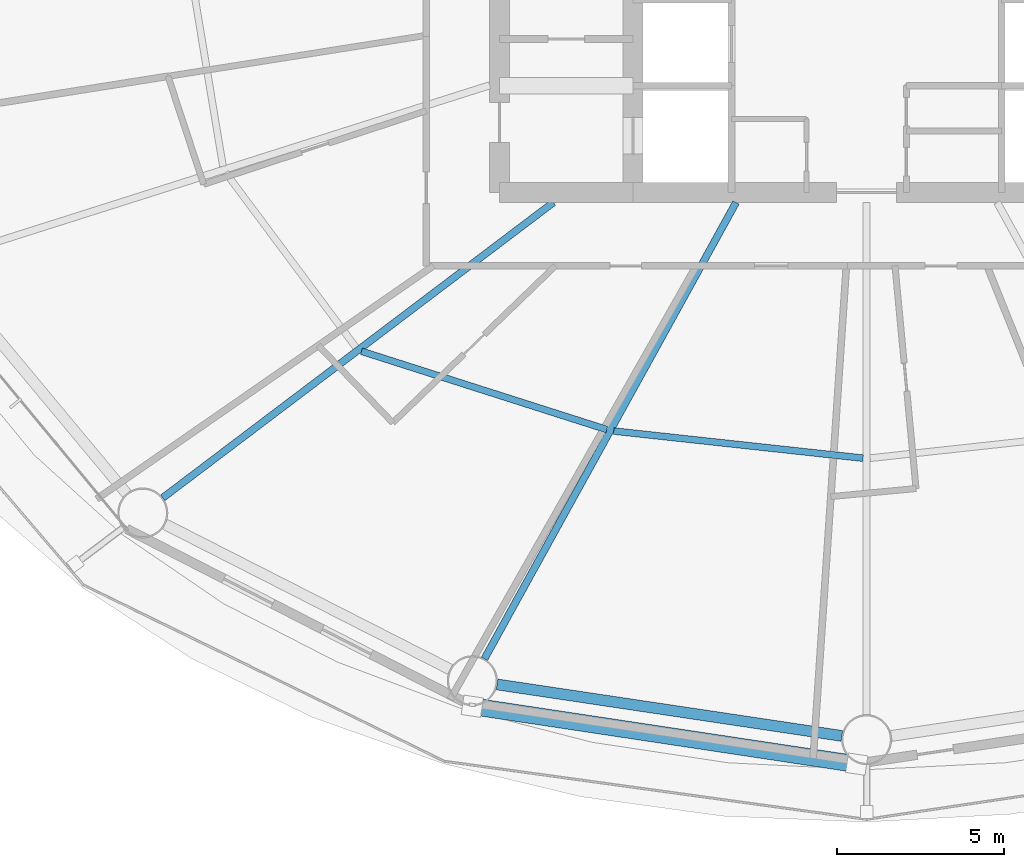
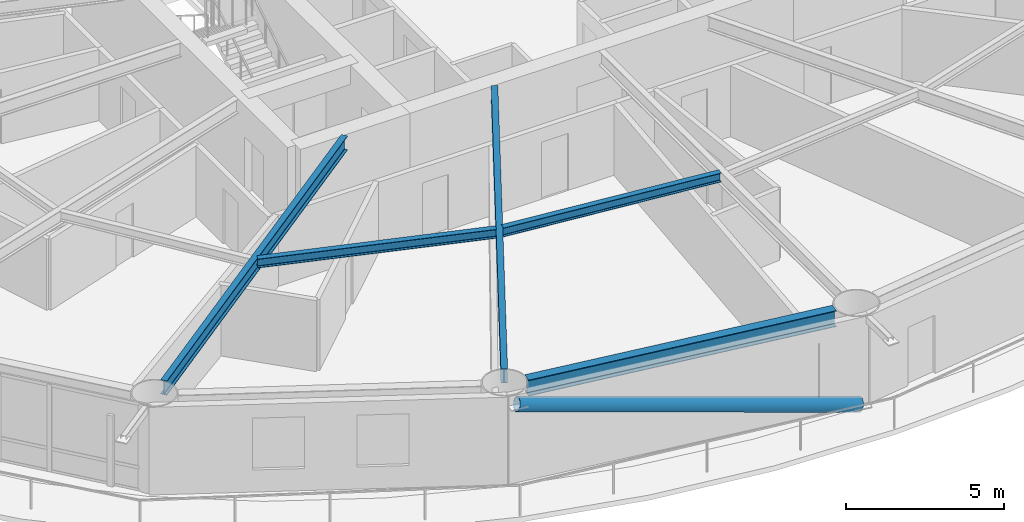
# One storey, part 3 of 26: 5 beams, 1 member.
"""IFC4 building model written with IfcOpenShell, lengths in metres."""

from ifc_helpers import new_model, si_unit, direction, frame, origin, origin_2d, place, context, subcontext, project, spatial, hollow_circle, i_section, extrude, material, material_profile, profile_set, type_object, element, save


model = new_model("IFC4")

# Units and contexts
model_context = context("Model", 3, precision=1e-05, world=origin(), true_north=direction((0.0, 1.0)))
body_context = subcontext(model_context, "Body", "Model", "MODEL_VIEW")
ifc_project = project(units=[si_unit("LENGTHUNIT", "METRE"), si_unit("AREAUNIT", "SQUARE_METRE"), si_unit("VOLUMEUNIT", "CUBIC_METRE"), si_unit("PLANEANGLEUNIT", "RADIAN"), si_unit("MASSUNIT", "GRAM", prefix="KILO")], contexts=[model_context])

# Site, building, storey
site_placement = place(None, origin())
site = spatial("IfcSite", under=ifc_project, at=site_placement, CompositionType="ELEMENT")
building_placement = place(site_placement, origin())
building = spatial("IfcBuilding", under=site, at=building_placement, Name="Sarneth Arch Tower", CompositionType="ELEMENT")
storey_placement = place(building_placement, frame((0.0, 0.0, 64.199951171875)))
storey = spatial("IfcBuildingStorey", under=building, at=storey_placement, Name="L15", CompositionType="ELEMENT", Elevation=64.199951171875)

# Beams
ifc_material_1 = material(Name="Steel S355", Category="steel")
ifc_material_profile_1 = material_profile(ifc_material_1, i_section(OverallWidth=0.202880859375, OverallDepth=0.346923828125, WebThickness=0.0078125, FlangeThickness=0.013427734375, FilletRadius=0.014892578125, at=origin_2d()), Name="W360x64")
ifc_profile_set_1 = profile_set([ifc_material_profile_1], Name="Steel S355")
beam_type_1 = type_object("IfcBeamType", Name="BM-JOIST-360C", PredefinedType="JOIST", material=ifc_profile_set_1)
beam_1_placement = place(storey_placement, frame((32.857666015625, 30.441162109375, 3.20654296875), z_axis=(0.95266836992, -0.304011475036, 0.0), x_axis=(0.304011475036, 0.95266836992, 0.0)))
element("IfcBeam", 1, at=beam_1_placement, inside=storey, type_object=beam_type_1, Name="L15 Secondary floor joist 11", PredefinedType="JOIST", context=body_context, shape_type="SweptSolid", body=[
    extrude(i_section(OverallWidth=0.202880859375, OverallDepth=0.346923828125, WebThickness=0.0078125, FlangeThickness=0.013427734375, FilletRadius=0.014892578125, at=origin_2d()), origin(), (0.0, 0.0, 1.0), 7.720703125),
])
beam_2_placement = place(storey_placement, frame((40.421142578125, 28.0498046875, 3.20654296875), z_axis=(0.994129966112, -0.108192469602, 0.0), x_axis=(0.108192469602, 0.994129966112, 0.0)))
element("IfcBeam", 2, at=beam_2_placement, inside=storey, type_object=beam_type_1, Name="L15 Secondary floor joist 12", PredefinedType="JOIST", context=body_context, shape_type="SweptSolid", body=[
    extrude(i_section(OverallWidth=0.202880859375, OverallDepth=0.346923828125, WebThickness=0.0078125, FlangeThickness=0.013427734375, FilletRadius=0.014892578125, at=origin_2d()), origin(), (0.0, 0.0, 1.0), 7.5166015625),
])
ifc_material_2 = material(Name="Steel S355", Category="steel")
ifc_material_profile_2 = material_profile(ifc_material_2, i_section(OverallWidth=0.214111328125, OverallDepth=0.549072265625, WebThickness=0.0146484375, FlangeThickness=0.023681640625, FilletRadius=0.01806640625, at=origin_2d()), Name="W530x138")
ifc_profile_set_2 = profile_set([ifc_material_profile_2], Name="Steel S355")
beam_type_2 = type_object("IfcBeamType", Name="BM-RAD-530A", PredefinedType="BEAM", material=ifc_profile_set_2)
beam_3_placement = place(storey_placement, frame((38.609619140625, 34.89990234375, 3.10546875), z_axis=(-0.79765464731, -0.603114469753, 0.0), x_axis=(0.603114469753, -0.79765464731, 0.0)))
element("IfcBeam", 3, at=beam_3_placement, inside=storey, type_object=beam_type_2, Name="L15 Radial floor girder 11", PredefinedType="BEAM", context=body_context, shape_type="SweptSolid", body=[
    extrude(i_section(OverallWidth=0.214111328125, OverallDepth=0.549072265625, WebThickness=0.0146484375, FlangeThickness=0.023681640625, FilletRadius=0.01806640625, at=origin_2d()), origin(), (0.0, 0.0, 1.0), 14.677978515625),
])
beam_4_placement = place(storey_placement, frame((44.08544921875, 34.89990234375, 3.10546875), z_axis=(-0.482841370957, -0.875707833979, 0.0), x_axis=(0.875707833979, -0.482841370957, 0.0)))
element("IfcBeam", 4, at=beam_4_placement, inside=storey, type_object=beam_type_2, Name="L15 Radial floor girder 12", PredefinedType="BEAM", context=body_context, shape_type="SweptSolid", body=[
    extrude(i_section(OverallWidth=0.214111328125, OverallDepth=0.549072265625, WebThickness=0.0146484375, FlangeThickness=0.023681640625, FilletRadius=0.01806640625, at=origin_2d()), origin(), (0.0, 0.0, 1.0), 15.618408203125),
])
ifc_material_3 = material(Name="Steel S355", Category="steel")
ifc_material_profile_3 = material_profile(ifc_material_3, i_section(OverallWidth=0.326904296875, OverallDepth=0.6220703125, WebThickness=0.015380859375, FlangeThickness=0.0244140625, FilletRadius=0.01904296875, at=origin_2d()), Name="W610x195")
ifc_profile_set_3 = profile_set([ifc_material_profile_3], Name="Steel S355")
beam_type_3 = type_object("IfcBeamType", Name="BM-SPAN-610A", PredefinedType="SPANDREL", material=ifc_profile_set_3)
beam_5_placement = place(storey_placement, frame((36.923828125, 20.455078125, 3.069091796875), z_axis=(0.989020169581, -0.147780594675, 0.0), x_axis=(0.147780594675, 0.989020169581, 0.0)))
element("IfcBeam", 5, at=beam_5_placement, inside=storey, type_object=beam_type_3, Name="L15 Perimeter spandrel beam 12", PredefinedType="SPANDREL", context=body_context, shape_type="SweptSolid", body=[
    extrude(i_section(OverallWidth=0.326904296875, OverallDepth=0.6220703125, WebThickness=0.015380859375, FlangeThickness=0.0244140625, FilletRadius=0.01904296875, at=origin_2d()), origin(), (0.0, 0.0, 1.0), 10.44921875),
])

# Member
ifc_material_4 = material(Name="Steel S355", Category="steel")
ifc_material_profile_4 = material_profile(ifc_material_4, hollow_circle(Radius=0.25390625, WallThickness=0.01611328125, at=origin_2d()), Name="CHS508x16")
ifc_profile_set_4 = profile_set([ifc_material_profile_4], Name="Steel S355")
member_type = type_object("IfcMemberType", Name="MEM-DIAG-BR1", PredefinedType="BRACE", material=ifc_profile_set_4)
member_placement = place(storey_placement, frame((47.703369140625, 18.064697265625, 0.02001953125), z_axis=(-0.957875899759, 0.144316613483, 0.248287083301), x_axis=(-0.1489817545, -0.988839944999, 0.0)))
element("IfcMember", 6, at=member_placement, inside=storey, type_object=member_type, Name="L15 Perimeter frame diagonal 12", PredefinedType="BRACE", context=body_context, shape_type="SweptSolid", body=[
    extrude(hollow_circle(Radius=0.25390625, WallThickness=0.01611328125, at=origin_2d()), origin(), (0.0, 0.0, 1.0), 12.02978515625),
])

save(model, "model.ifc")
